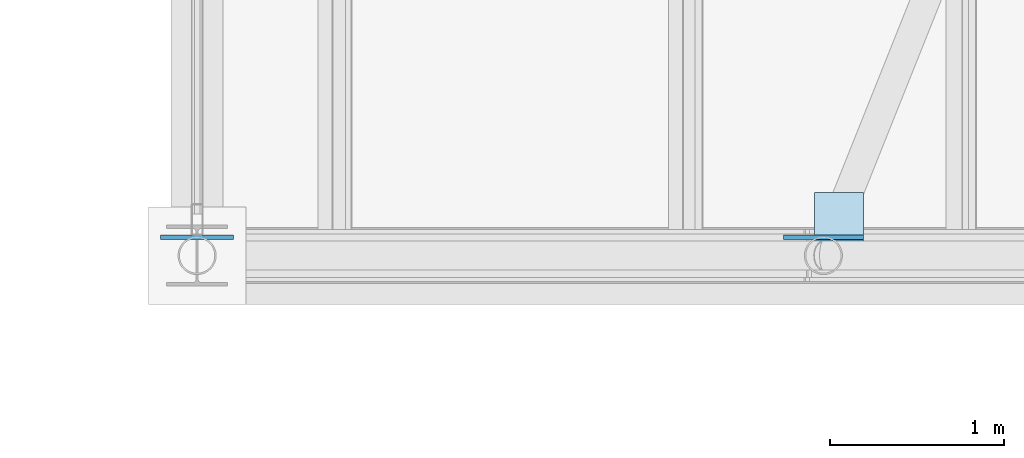
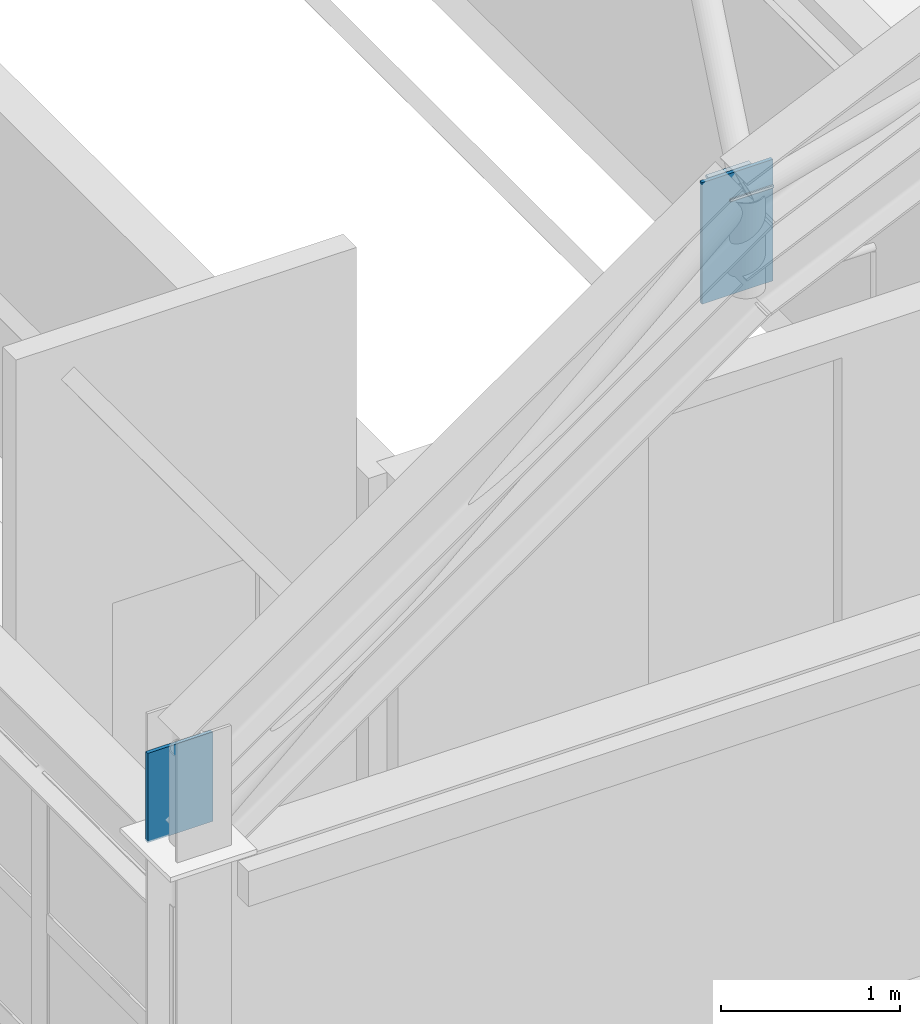
# One storey, part 104 of 121: 3 plates.
"""IFC4 building model written with IfcOpenShell, lengths in metres."""

from ifc_helpers import new_model, si_unit, direction, frame, origin, origin_2d, place, context, subcontext, project, spatial, rectangle, extrude, material, layer, layer_set, type_object, element, save


model = new_model("IFC4")

# Units and contexts
model_context = context("Model", 3, precision=1e-05, world=origin(), true_north=direction((0.0, 1.0)))
body_context = subcontext(model_context, "Body", "Model", "MODEL_VIEW")
ifc_project = project(units=[si_unit("LENGTHUNIT", "METRE"), si_unit("AREAUNIT", "SQUARE_METRE"), si_unit("VOLUMEUNIT", "CUBIC_METRE"), si_unit("PLANEANGLEUNIT", "RADIAN"), si_unit("MASSUNIT", "GRAM", prefix="KILO")], contexts=[model_context])

# Site, building, storey
site_placement = place(None, origin())
site = spatial("IfcSite", under=ifc_project, at=site_placement, CompositionType="ELEMENT")
building_placement = place(site_placement, origin())
building = spatial("IfcBuilding", under=site, at=building_placement, Name="Canglan Escarpment Cableway Terminal", CompositionType="ELEMENT")
storey_placement = place(building_placement, frame((0.0, 0.0, 24.60009765625)))
storey = spatial("IfcBuildingStorey", under=building, at=storey_placement, Name="L05", CompositionType="ELEMENT", Elevation=24.60009765625)

# Plates
ifc_material = material(Name="Steel Q355B", Category="steel")
ifc_layer_1 = layer(ifc_material, 0.01611328125, Name="Steel Q355B")
ifc_layer_set_1 = layer_set([ifc_layer_1], Name="Steel Q355B")
plate_type_1 = type_object("IfcPlateType", Name="PLT-GUSSET-16", PredefinedType="USERDEFINED", material=ifc_layer_set_1)
plate_1_placement = place(storey_placement, frame((141.2890625, 34.222900390625, 5.5185546875), z_axis=(0.0, 0.0, 1.0), x_axis=(1.0, 0.0, 0.0)))
element("IfcPlate", 1, at=plate_1_placement, inside=storey, type_object=plate_type_1, Name="Roof wind brace end gusset plate GP-03", ObjectType="GUSSET PLATE", PredefinedType="USERDEFINED", context=body_context, shape_type="SweptSolid", body=[
    extrude(rectangle(XDim=0.280029296875, YDim=0.280029296875, at=origin_2d()), origin(), (0.0, 0.0, 1.0), 0.01611328125),
])
ifc_layer_2 = layer(ifc_material, 0.02392578125, Name="Steel Q355B")
ifc_layer_set_2 = layer_set([ifc_layer_2], Name="Steel Q355B")
plate_type_2 = type_object("IfcPlateType", Name="PLT-GUSSET-24", PredefinedType="USERDEFINED", material=ifc_layer_set_2)
plate_2_placement = place(storey_placement, frame((141.199951171875, 34.10498046875, 4.87646484375), z_axis=(0.0, 0.0, 1.0), x_axis=(1.0, 0.0, 0.0)))
element("IfcPlate", 2, at=plate_2_placement, inside=storey, type_object=plate_type_2, Name="Arch-truss node gusset plate GP-01", ObjectType="GUSSET PLATE", PredefinedType="USERDEFINED", context=body_context, shape_type="SweptSolid", body=[
    extrude(rectangle(XDim=0.4599609375, YDim=0.02392578125, at=origin_2d()), origin(), (0.0, 0.0, 1.0), 0.830078125),
])
plate_3_placement = place(storey_placement, frame((137.60009765625, 34.10498046875, 2.4521484375), z_axis=(0.0, 0.0, 1.0), x_axis=(1.0, 0.0, 0.0)))
element("IfcPlate", 3, at=plate_3_placement, inside=storey, type_object=plate_type_2, Name="Arch-truss springing gusset plate GP-01", ObjectType="GUSSET PLATE", PredefinedType="USERDEFINED", context=body_context, shape_type="SweptSolid", body=[
    extrude(rectangle(XDim=0.419921875, YDim=0.02392578125, at=origin_2d()), origin(), (0.0, 0.0, 1.0), 0.610107421875),
])

save(model, "model.ifc")
